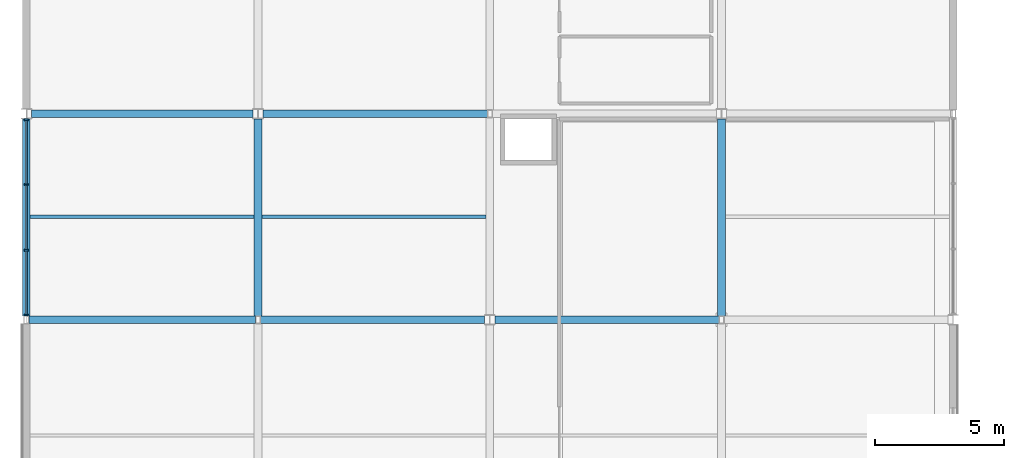
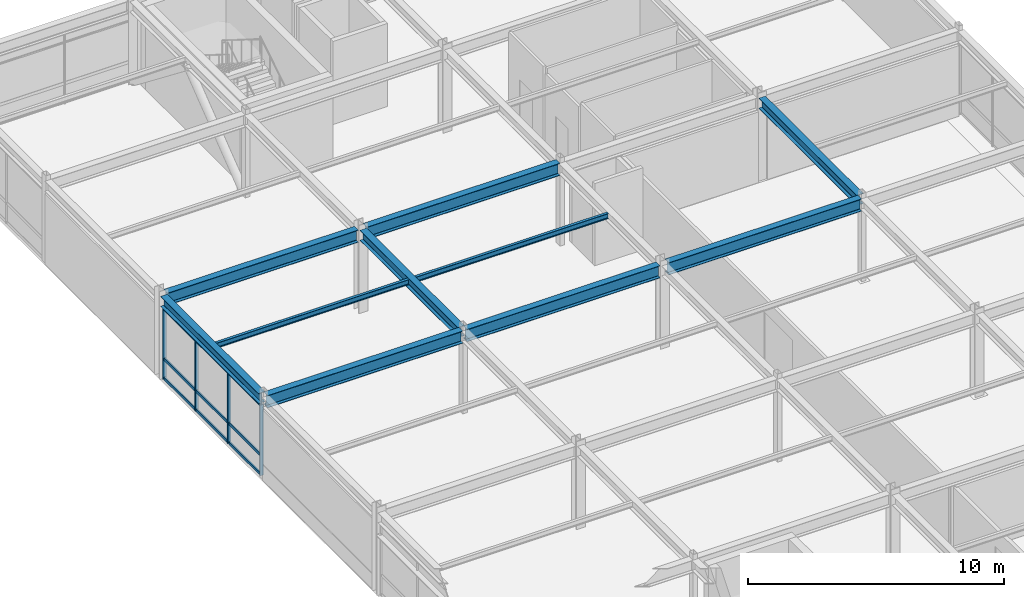
# One storey, part 27 of 105: 13 members, 10 beams, 1 element without a shape of its own.
"""IFC4 building model written with IfcOpenShell, lengths in metres."""

import ifcopenshell
import ifcopenshell.guid

model = None  # the IFC model being written
_history = None  # IfcOwnerHistory: only IFC2X3 demands one
_inside = {}  # id of a spatial element -> (the spatial element, [elements in it])
_under = {}  # id of a project, library or spatial element -> (it, [spatial elements below it])
_declared = {}  # id of a project -> (the project, [libraries it declares])
_typed = {}  # id of a type object -> (the type object, [elements of that type])
_made_of = {}  # id of a material, layer set ... -> (it, [elements and type objects made of it])


def new_model(schema):
    """Start an empty IFC model of exactly this schema.

    Asked for "IFC4X3", IfcOpenShell would pick the latest addendum, in which some entities
    have other attributes; the version numbers below select the first issue.
    IFC2X3 requires an IfcOwnerHistory on every rooted entity: one is made here for all.
    """
    global model, _history
    if schema == "IFC4X3":
        model = ifcopenshell.file(schema_version=(4, 3, 0, 0))
    else:
        model = ifcopenshell.file(schema=schema)
    _inside.clear()
    _under.clear()
    _declared.clear()
    _typed.clear()
    _made_of.clear()
    _history = None
    if model.schema == "IFC2X3":
        org = make("IfcOrganization", Name="unknown")
        user = make(
            "IfcPersonAndOrganization",
            ThePerson=make("IfcPerson", FamilyName="unknown"),
            TheOrganization=org,
        )
        app = make(
            "IfcApplication",
            ApplicationDeveloper=org,
            Version="unknown",
            ApplicationFullName="unknown",
            ApplicationIdentifier="unknown",
        )
        _history = make(
            "IfcOwnerHistory",
            OwningUser=user,
            OwningApplication=app,
            ChangeAction="ADDED",
            CreationDate=0,
        )
    return model


def make(cls, **values):
    """One entity of the class cls with the attributes given. An attribute that is None is left unset."""
    return model.create_entity(
        cls, **{name: value for name, value in values.items() if value is not None}
    )


def rooted(cls, **values):
    """An entity with a GlobalId (a new one), such as an element, a storey or a relation."""
    return make(cls, GlobalId=ifcopenshell.guid.new(), OwnerHistory=_history, **values)


def si_unit(unit_type, name, prefix=None):
    """IfcSIUnit, for example si_unit("LENGTHUNIT", "METRE", prefix="MILLI")."""
    return make("IfcSIUnit", UnitType=unit_type, Prefix=prefix, Name=name)


def assignment(units):
    """IfcUnitAssignment: the units of a project."""
    return None if units is None else make("IfcUnitAssignment", Units=units)


def point(xyz):
    """IfcCartesianPoint."""
    return None if xyz is None else make("IfcCartesianPoint", Coordinates=xyz)


def direction(xyz):
    """IfcDirection."""
    return None if xyz is None else make("IfcDirection", DirectionRatios=xyz)


def frame(location, z_axis=None, x_axis=None):
    """IfcAxis2Placement3D, a coordinate frame: its origin and axes. An axis left out is left unset."""
    return make(
        "IfcAxis2Placement3D",
        Location=point(location),
        Axis=direction(z_axis),
        RefDirection=direction(x_axis),
    )


def frame_2d(location, x_axis=None):
    """IfcAxis2Placement2D, a coordinate frame in the plane: its origin and x axis."""
    return make(
        "IfcAxis2Placement2D", Location=point(location), RefDirection=direction(x_axis)
    )


def origin():
    """The frame at (0, 0, 0) with its axes left unset."""
    return frame((0.0, 0.0, 0.0))


def origin_2d():
    """The frame at (0, 0) in the plane with its x axis left unset."""
    return frame_2d((0.0, 0.0))


def place(relative_to, where):
    """IfcLocalPlacement: puts the frame where relative to a parent placement (None: the world)."""
    return make(
        "IfcLocalPlacement", PlacementRelTo=relative_to, RelativePlacement=where
    )


def context(
    kind, dimensions, precision=None, world=None, true_north=None, identifier=None
):
    """IfcGeometricRepresentationContext, for example the 3D "Model" context."""
    return make(
        "IfcGeometricRepresentationContext",
        ContextIdentifier=identifier,
        ContextType=kind,
        CoordinateSpaceDimension=dimensions,
        Precision=precision,
        WorldCoordinateSystem=world,
        TrueNorth=true_north,
    )


def subcontext(parent, identifier, kind, view, scale=None):
    """IfcGeometricRepresentationSubContext, for example "Body" below "Model"."""
    return make(
        "IfcGeometricRepresentationSubContext",
        ContextIdentifier=identifier,
        ContextType=kind,
        ParentContext=parent,
        TargetScale=scale,
        TargetView=view,
    )


def project(units=None, contexts=None):
    """IfcProject with its units and contexts."""
    return rooted(
        "IfcProject",
        Name="project",
        RepresentationContexts=contexts,
        UnitsInContext=assignment(units),
    )


def spatial(cls, under=None, at=None, **own):
    """A site, building, storey or space (cls), placed at a placement, below another one or the project."""
    s = rooted(cls, ObjectPlacement=at, **own)
    if under is not None:
        _under.setdefault(under.id(), (under, []))[1].append(s)
    return s


def profile(cls, at=None, kind="AREA", **sizes):
    """A parametric profile (cls). Its sizes go by their IFC names, for example OverallWidth=200.0."""
    return make(cls, ProfileType=kind, Position=at, **sizes)


def rectangle(**sizes):
    """IfcRectangleProfileDef."""
    return profile("IfcRectangleProfileDef", **sizes)


def i_section(**sizes):
    """IfcIShapeProfileDef."""
    return profile("IfcIShapeProfileDef", **sizes)


def extrude(swept, where, along, depth):
    """IfcExtrudedAreaSolid: the profile swept, set in the frame where, extruded along a direction by depth."""
    return make(
        "IfcExtrudedAreaSolid",
        SweptArea=swept,
        Position=where,
        ExtrudedDirection=direction(along),
        Depth=depth,
    )


def shape(context_of_items, identifier, shape_type, items):
    """IfcShapeRepresentation: the items that make up one representation, for example the "Body"."""
    return make(
        "IfcShapeRepresentation",
        ContextOfItems=context_of_items,
        RepresentationIdentifier=identifier,
        RepresentationType=shape_type,
        Items=items,
    )


def material(Name=None, Category=None):
    """IfcMaterial."""
    return make("IfcMaterial", Name=Name, Category=Category)


def material_profile(
    of_material, cross_section, Name=None, Category=None, Priority=None
):
    """IfcMaterialProfile: a cross section and its material."""
    return make(
        "IfcMaterialProfile",
        Name=Name,
        Material=of_material,
        Profile=cross_section,
        Priority=Priority,
        Category=Category,
    )


def profile_set(profiles, Name=None, composite=None):
    """IfcMaterialProfileSet."""
    return make(
        "IfcMaterialProfileSet",
        Name=Name,
        MaterialProfiles=profiles,
        CompositeProfile=composite,
    )


def made_of(thing, what):
    """Note that an element or type object is made of a material, layer set ...; save() writes the relation."""
    if what is not None:
        _made_of.setdefault(what.id(), (what, []))[1].append(thing)
    return thing


def type_object(cls, material=None, **own):
    """A type object (cls), such as IfcWallType, which elements share."""
    return made_of(rooted(cls, **own), material)


def element(
    cls,
    number,
    at=None,
    inside=None,
    cuts=None,
    type_object=None,
    material=None,
    context=None,
    identifier="Body",
    shape_type=None,
    held_by="IfcProductDefinitionShape",
    body=None,
    shapes=None,
    **own,
):
    """One element of the class cls, such as IfcWall. Its Tag is "e" and its number.

    at: its placement. inside: the storey or other place that contains it. cuts: it is an
    opening in that element (IfcRelVoidsElement). A single representation is given by context,
    identifier, shape_type and body (its items); several are given by shapes. held_by: the class
    of the entity that holds the representations. save() writes the other relations.
    """
    e = rooted(cls, Tag="e%d" % number, ObjectPlacement=at, **own)
    if body is not None:
        shapes = [shape(context, identifier, shape_type, body)]
    if shapes is not None:
        e.Representation = make(held_by, Representations=shapes)
    if inside is not None:
        _inside.setdefault(inside.id(), (inside, []))[1].append(e)
    if cuts is not None:
        rooted(
            "IfcRelVoidsElement", RelatingBuildingElement=cuts, RelatedOpeningElement=e
        )
    if type_object is not None:
        _typed.setdefault(type_object.id(), (type_object, []))[1].append(e)
    return made_of(e, material)


def aggregate(whole, parts):
    """IfcRelAggregates: a whole, such as a stair, and the parts it consists of."""
    return rooted("IfcRelAggregates", RelatingObject=whole, RelatedObjects=parts)


def save(model, path):
    """Write the relations noted so far, then the file.

    IfcRelAggregates (storeys below a building ...), IfcRelContainedInSpatialStructure (elements
    in a storey), IfcRelDefinesByType, IfcRelAssociatesMaterial and IfcRelDeclares: one each for
    every whole, place, type object, material and project.
    """
    for whole, parts in _under.values():
        aggregate(whole, parts)
    for where, things in _inside.values():
        rooted(
            "IfcRelContainedInSpatialStructure",
            RelatedElements=things,
            RelatingStructure=where,
        )
    for kind, things in _typed.values():
        rooted("IfcRelDefinesByType", RelatedObjects=things, RelatingType=kind)
    for what, things in _made_of.values():
        rooted("IfcRelAssociatesMaterial", RelatedObjects=things, RelatingMaterial=what)
    for by, libraries in _declared.values():
        rooted("IfcRelDeclares", RelatingContext=by, RelatedDefinitions=libraries)
    model.write(path)


model = new_model("IFC4")

# Units and contexts
model_context = context("Model", 3, precision=1e-05, world=origin(), true_north=direction((0.0, 1.0)))
body_context = subcontext(model_context, "Body", "Model", "MODEL_VIEW")
ifc_project = project(units=[si_unit("LENGTHUNIT", "METRE"), si_unit("AREAUNIT", "SQUARE_METRE"), si_unit("VOLUMEUNIT", "CUBIC_METRE"), si_unit("PLANEANGLEUNIT", "RADIAN"), si_unit("MASSUNIT", "GRAM", prefix="KILO")], contexts=[model_context])

# Site, building, storey
site_placement = place(None, origin())
site = spatial("IfcSite", under=ifc_project, at=site_placement, CompositionType="ELEMENT")
building_placement = place(site_placement, origin())
building = spatial("IfcBuilding", under=site, at=building_placement, Name="Suzunagisa Mobility Hub", CompositionType="ELEMENT")
storey_placement = place(building_placement, frame((0.0, 0.0, 5.10009765625)))
storey = spatial("IfcBuildingStorey", under=building, at=storey_placement, Name="L01", CompositionType="ELEMENT", Elevation=5.10009765625)

# Curtain wall, members
ifc_material_1 = material(Name="Thermally Broken Anodized Aluminum and Low-E Glazing", Category="aluminium")
curtain_wall_type = type_object("IfcCurtainWallType", Name="Unitised Curtain Wall CW-28 7750x3400", PredefinedType="USERDEFINED", material=ifc_material_1)
curtain_wall_placement = place(storey_placement, origin())
curtain_wall = element("IfcCurtainWall", 1, at=curtain_wall_placement, inside=storey, type_object=curtain_wall_type, Name="L01 Unitised Curtain Wall CW-20", ObjectType="UNITISED CURTAIN WALL", PredefinedType="USERDEFINED")
ifc_material_2 = material(Name="Anodized Aluminum 6063-T6", Category="aluminium")
ifc_material_profile_1 = material_profile(ifc_material_2, rectangle(XDim=0.06494140625, YDim=0.139892578125, at=origin_2d()), Name="TRAN-65x140")
ifc_profile_set_1 = profile_set([ifc_material_profile_1], Name="Anodized Aluminum 6063-T6")
member_type_1 = type_object("IfcMemberType", Name="Curtain Wall Framing CM-01 TRAN-65x140", PredefinedType="USERDEFINED", material=ifc_profile_set_1)
member_1_placement = place(storey_placement, frame((0.0, 43.741943359375, 0.032470703125), z_axis=(0.0, -1.0, 0.0), x_axis=(1.0, 0.0, 0.0)))
member_1 = element("IfcMember", 2, at=member_1_placement, type_object=member_type_1, Name="Curtain Wall Transom 20-T1.1", ObjectType="TRANSOM", PredefinedType="USERDEFINED", context=body_context, shape_type="SweptSolid", body=[
    extrude(rectangle(XDim=0.06494140625, YDim=0.139892578125, at=origin_2d()), origin(), (0.0, 0.0, 1.0), 2.4638671875),
])
member_2_placement = place(storey_placement, frame((0.0, 43.741943359375, 0.949951171875), z_axis=(0.0, -1.0, 0.0), x_axis=(1.0, 0.0, 0.0)))
member_2 = element("IfcMember", 3, at=member_2_placement, type_object=member_type_1, Name="Curtain Wall Transom 20-T1.2", ObjectType="TRANSOM", PredefinedType="USERDEFINED", context=body_context, shape_type="SweptSolid", body=[
    extrude(rectangle(XDim=0.06494140625, YDim=0.139892578125, at=origin_2d()), origin(), (0.0, 0.0, 1.0), 2.4638671875),
])
member_3_placement = place(storey_placement, frame((0.0, 43.741943359375, 3.33935546875), z_axis=(0.0, -1.0, 0.0), x_axis=(1.0, 0.0, 0.0)))
member_3 = element("IfcMember", 4, at=member_3_placement, type_object=member_type_1, Name="Curtain Wall Transom 20-T1.3", ObjectType="TRANSOM", PredefinedType="USERDEFINED", context=body_context, shape_type="SweptSolid", body=[
    extrude(rectangle(XDim=0.06494140625, YDim=0.139892578125, at=origin_2d()), origin(), (0.0, 0.0, 1.0), 2.4638671875),
])
member_4_placement = place(storey_placement, frame((0.0, 41.221923828125, 0.032470703125), z_axis=(0.0, -1.0, 0.0), x_axis=(1.0, 0.0, 0.0)))
member_4 = element("IfcMember", 5, at=member_4_placement, type_object=member_type_1, Name="Curtain Wall Transom 20-T2.1", ObjectType="TRANSOM", PredefinedType="USERDEFINED", context=body_context, shape_type="SweptSolid", body=[
    extrude(rectangle(XDim=0.06494140625, YDim=0.139892578125, at=origin_2d()), origin(), (0.0, 0.0, 1.0), 2.493896484375),
])
member_5_placement = place(storey_placement, frame((0.0, 41.221923828125, 0.949951171875), z_axis=(0.0, -1.0, 0.0), x_axis=(1.0, 0.0, 0.0)))
member_5 = element("IfcMember", 6, at=member_5_placement, type_object=member_type_1, Name="Curtain Wall Transom 20-T2.2", ObjectType="TRANSOM", PredefinedType="USERDEFINED", context=body_context, shape_type="SweptSolid", body=[
    extrude(rectangle(XDim=0.06494140625, YDim=0.139892578125, at=origin_2d()), origin(), (0.0, 0.0, 1.0), 2.493896484375),
])
member_6_placement = place(storey_placement, frame((0.0, 41.221923828125, 3.33935546875), z_axis=(0.0, -1.0, 0.0), x_axis=(1.0, 0.0, 0.0)))
member_6 = element("IfcMember", 7, at=member_6_placement, type_object=member_type_1, Name="Curtain Wall Transom 20-T2.3", ObjectType="TRANSOM", PredefinedType="USERDEFINED", context=body_context, shape_type="SweptSolid", body=[
    extrude(rectangle(XDim=0.06494140625, YDim=0.139892578125, at=origin_2d()), origin(), (0.0, 0.0, 1.0), 2.493896484375),
])
member_7_placement = place(storey_placement, frame((0.0, 38.672119140625, 0.032470703125), z_axis=(0.0, -1.0, 0.0), x_axis=(1.0, 0.0, 0.0)))
member_7 = element("IfcMember", 8, at=member_7_placement, type_object=member_type_1, Name="Curtain Wall Transom 20-T3.1", ObjectType="TRANSOM", PredefinedType="USERDEFINED", context=body_context, shape_type="SweptSolid", body=[
    extrude(rectangle(XDim=0.06494140625, YDim=0.139892578125, at=origin_2d()), origin(), (0.0, 0.0, 1.0), 2.464111328125),
])
member_8_placement = place(storey_placement, frame((0.0, 38.672119140625, 0.949951171875), z_axis=(0.0, -1.0, 0.0), x_axis=(1.0, 0.0, 0.0)))
member_8 = element("IfcMember", 9, at=member_8_placement, type_object=member_type_1, Name="Curtain Wall Transom 20-T3.2", ObjectType="TRANSOM", PredefinedType="USERDEFINED", context=body_context, shape_type="SweptSolid", body=[
    extrude(rectangle(XDim=0.06494140625, YDim=0.139892578125, at=origin_2d()), origin(), (0.0, 0.0, 1.0), 2.464111328125),
])
member_9_placement = place(storey_placement, frame((0.0, 38.672119140625, 3.33935546875), z_axis=(0.0, -1.0, 0.0), x_axis=(1.0, 0.0, 0.0)))
member_9 = element("IfcMember", 10, at=member_9_placement, type_object=member_type_1, Name="Curtain Wall Transom 20-T3.3", ObjectType="TRANSOM", PredefinedType="USERDEFINED", context=body_context, shape_type="SweptSolid", body=[
    extrude(rectangle(XDim=0.06494140625, YDim=0.139892578125, at=origin_2d()), origin(), (0.0, 0.0, 1.0), 2.464111328125),
])
ifc_material_profile_2 = material_profile(ifc_material_2, rectangle(XDim=0.06005859375, YDim=0.14990234375, at=origin_2d()), Name="MULL-60x150")
ifc_profile_set_2 = profile_set([ifc_material_profile_2], Name="Anodized Aluminum 6063-T6")
member_type_2 = type_object("IfcMemberType", Name="Curtain Wall Framing CM-03 MULL-60x150", PredefinedType="MULLION", material=ifc_profile_set_2)
member_10_placement = place(storey_placement, frame((0.0, 43.77001953125, 0.0), z_axis=(0.0, 0.0, 1.0), x_axis=(0.0, -1.0, 0.0)))
member_10 = element("IfcMember", 11, at=member_10_placement, type_object=member_type_2, Name="Curtain Wall Mullion 20-M1", PredefinedType="MULLION", context=body_context, shape_type="SweptSolid", body=[
    extrude(rectangle(XDim=0.06005859375, YDim=0.14990234375, at=origin_2d()), origin(), (0.0, 0.0, 1.0), 3.371826171875),
])
member_11_placement = place(storey_placement, frame((0.0, 41.25, 0.0), z_axis=(0.0, 0.0, 1.0), x_axis=(0.0, -1.0, 0.0)))
member_11 = element("IfcMember", 12, at=member_11_placement, type_object=member_type_2, Name="Curtain Wall Mullion 20-M2", PredefinedType="MULLION", context=body_context, shape_type="SweptSolid", body=[
    extrude(rectangle(XDim=0.06005859375, YDim=0.14990234375, at=origin_2d()), origin(), (0.0, 0.0, 1.0), 3.371826171875),
])
member_12_placement = place(storey_placement, frame((0.0, 38.699951171875, 0.0), z_axis=(0.0, 0.0, 1.0), x_axis=(0.0, -1.0, 0.0)))
member_12 = element("IfcMember", 13, at=member_12_placement, type_object=member_type_2, Name="Curtain Wall Mullion 20-M3", PredefinedType="MULLION", context=body_context, shape_type="SweptSolid", body=[
    extrude(rectangle(XDim=0.06005859375, YDim=0.14990234375, at=origin_2d()), origin(), (0.0, 0.0, 1.0), 3.371826171875),
])
member_13_placement = place(storey_placement, frame((0.0, 36.179931640625, 0.0), z_axis=(0.0, 0.0, 1.0), x_axis=(0.0, -1.0, 0.0)))
member_13 = element("IfcMember", 14, at=member_13_placement, type_object=member_type_2, Name="Curtain Wall Mullion 20-M4", PredefinedType="MULLION", context=body_context, shape_type="SweptSolid", body=[
    extrude(rectangle(XDim=0.06005859375, YDim=0.14990234375, at=origin_2d()), origin(), (0.0, 0.0, 1.0), 3.371826171875),
])
aggregate(curtain_wall, [member_10, member_11, member_12, member_13, member_1, member_2, member_3, member_4, member_5, member_6, member_7, member_8, member_9])

# Beams
ifc_material_3 = material(Name="Steel SN490B", Category="steel")
ifc_material_profile_3 = material_profile(ifc_material_3, i_section(OverallWidth=0.300048828125, OverallDepth=0.488037109375, WebThickness=0.010986328125, FlangeThickness=0.01806640625, FilletRadius=0.012939453125, at=origin_2d()), Name="H-488x300x11x18")
ifc_profile_set_3 = profile_set([ifc_material_profile_3], Name="Steel SN490B")
beam_type_1 = type_object("IfcBeamType", Name="Steel Beam BM-06 H-488x300x11x18", PredefinedType="BEAM", material=ifc_profile_set_3)
for number, where, z_axis, x_axis, name in (
    (15, (0.0, 36.14599609375, 3.7158203125), (0.0, 1.0, 0.0), (-1.0, 0.0, 0.0), "L01 Primary Girder GY-210"),
    (16, (9.0, 36.14599609375, 3.7158203125), (0.0, 1.0, 0.0), (-1.0, 0.0, 0.0), "L01 Primary Girder GY-216"),
    (17, (27.0, 36.14599609375, 3.7158203125), (0.0, 1.0, 0.0), (-1.0, 0.0, 0.0), "L01 Primary Girder GY-228"),
):
    element("IfcBeam", number, at=place(storey_placement, frame(where, z_axis=z_axis, x_axis=x_axis)), inside=storey, type_object=beam_type_1, Name=name, PredefinedType="BEAM", context=body_context, shape_type="SweptSolid", body=[
        extrude(i_section(OverallWidth=0.300048828125, OverallDepth=0.488037109375, WebThickness=0.010986328125, FlangeThickness=0.01806640625, FilletRadius=0.012939453125, at=origin_2d()), origin(), (0.0, 0.0, 1.0), 7.657958984375),
    ])
ifc_material_profile_4 = material_profile(ifc_material_3, i_section(OverallWidth=0.300048828125, OverallDepth=0.587890625, WebThickness=0.011962890625, FlangeThickness=0.02001953125, FilletRadius=0.012939453125, at=origin_2d()), Name="H-588x300x12x20")
ifc_profile_set_4 = profile_set([ifc_material_profile_4], Name="Steel SN490B")
beam_type_2 = type_object("IfcBeamType", Name="Steel Beam BM-16 H-588x300x12x20", PredefinedType="BEAM", material=ifc_profile_set_4)
beam_1_placement = place(storey_placement, frame((0.095947265625, 36.0, 3.666015625), z_axis=(1.0, 0.0, 0.0), x_axis=(0.0, 1.0, 0.0)))
element("IfcBeam", 18, at=beam_1_placement, inside=storey, type_object=beam_type_2, Name="L01 Primary Girder GX-192", PredefinedType="BEAM", context=body_context, shape_type="SweptSolid", body=[
    extrude(i_section(OverallWidth=0.300048828125, OverallDepth=0.587890625, WebThickness=0.011962890625, FlangeThickness=0.02001953125, FilletRadius=0.012939453125, at=origin_2d()), origin(), (0.0, 0.0, 1.0), 8.80810546875),
])
for number, where, z_axis, x_axis, name in (
    (19, (9.095947265625, 36.0, 3.666015625), (1.0, 0.0, 0.0), (0.0, 1.0, 0.0), "L01 Primary Girder GX-193"),
    (20, (18.196044921875, 36.0, 3.666015625), (1.0, 0.0, 0.0), (0.0, 1.0, 0.0), "L01 Primary Girder GX-194"),
):
    element("IfcBeam", number, at=place(storey_placement, frame(where, z_axis=z_axis, x_axis=x_axis)), inside=storey, type_object=beam_type_2, Name=name, PredefinedType="BEAM", context=body_context, shape_type="SweptSolid", body=[
        extrude(i_section(OverallWidth=0.300048828125, OverallDepth=0.587890625, WebThickness=0.011962890625, FlangeThickness=0.02001953125, FilletRadius=0.012939453125, at=origin_2d()), origin(), (0.0, 0.0, 1.0), 8.7080078125),
    ])
beam_2_placement = place(storey_placement, frame((0.196044921875, 44.0, 3.666015625), z_axis=(1.0, 0.0, 0.0), x_axis=(0.0, 1.0, 0.0)))
element("IfcBeam", 21, at=beam_2_placement, inside=storey, type_object=beam_type_2, Name="L01 Primary Girder GX-196", PredefinedType="BEAM", context=body_context, shape_type="SweptSolid", body=[
    extrude(i_section(OverallWidth=0.300048828125, OverallDepth=0.587890625, WebThickness=0.011962890625, FlangeThickness=0.02001953125, FilletRadius=0.012939453125, at=origin_2d()), origin(), (0.0, 0.0, 1.0), 8.60791015625),
])
beam_3_placement = place(storey_placement, frame((9.196044921875, 44.0, 3.666015625), z_axis=(1.0, 0.0, 0.0), x_axis=(0.0, 1.0, 0.0)))
element("IfcBeam", 22, at=beam_3_placement, inside=storey, type_object=beam_type_2, Name="L01 Primary Girder GX-197", PredefinedType="BEAM", context=body_context, shape_type="SweptSolid", body=[
    extrude(i_section(OverallWidth=0.300048828125, OverallDepth=0.587890625, WebThickness=0.011962890625, FlangeThickness=0.02001953125, FilletRadius=0.012939453125, at=origin_2d()), origin(), (0.0, 0.0, 1.0), 8.7080078125),
])
ifc_material_4 = material(Name="Steel SN400B", Category="steel")
ifc_material_profile_5 = material_profile(ifc_material_4, i_section(OverallWidth=0.125, OverallDepth=0.25, WebThickness=0.006103515625, FlangeThickness=0.009033203125, FilletRadius=0.008056640625, at=origin_2d()), Name="H-250x125x6x9")
ifc_profile_set_5 = profile_set([ifc_material_profile_5], Name="Steel SN400B")
beam_type_3 = type_object("IfcBeamType", Name="Steel Beam BM-21 H-250x125x6x9", PredefinedType="JOIST", material=ifc_profile_set_5)
for number, where, z_axis, x_axis, name in (
    (23, (0.14990234375, 40.0, 3.8349609375), (1.0, 0.0, 0.0), (0.0, 1.0, 0.0), "L01 Composite Floor Joist J-240"),
    (24, (9.14990234375, 40.0, 3.8349609375), (1.0, 0.0, 0.0), (0.0, 1.0, 0.0), "L01 Composite Floor Joist J-245"),
):
    element("IfcBeam", number, at=place(storey_placement, frame(where, z_axis=z_axis, x_axis=x_axis)), inside=storey, type_object=beam_type_3, Name=name, PredefinedType="JOIST", context=body_context, shape_type="SweptSolid", body=[
        extrude(i_section(OverallWidth=0.125, OverallDepth=0.25, WebThickness=0.006103515625, FlangeThickness=0.009033203125, FilletRadius=0.008056640625, at=origin_2d()), origin(), (0.0, 0.0, 1.0), 8.7001953125),
    ])

save(model, "model.ifc")
